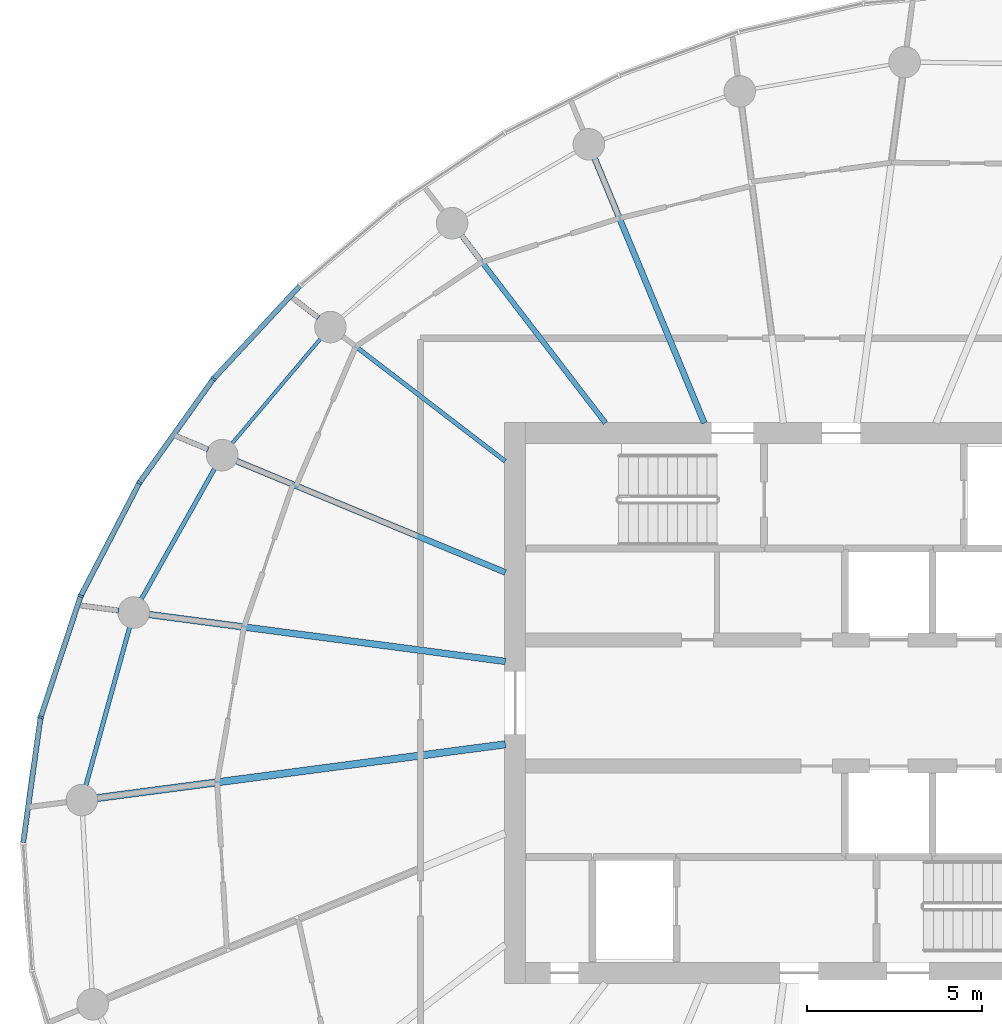
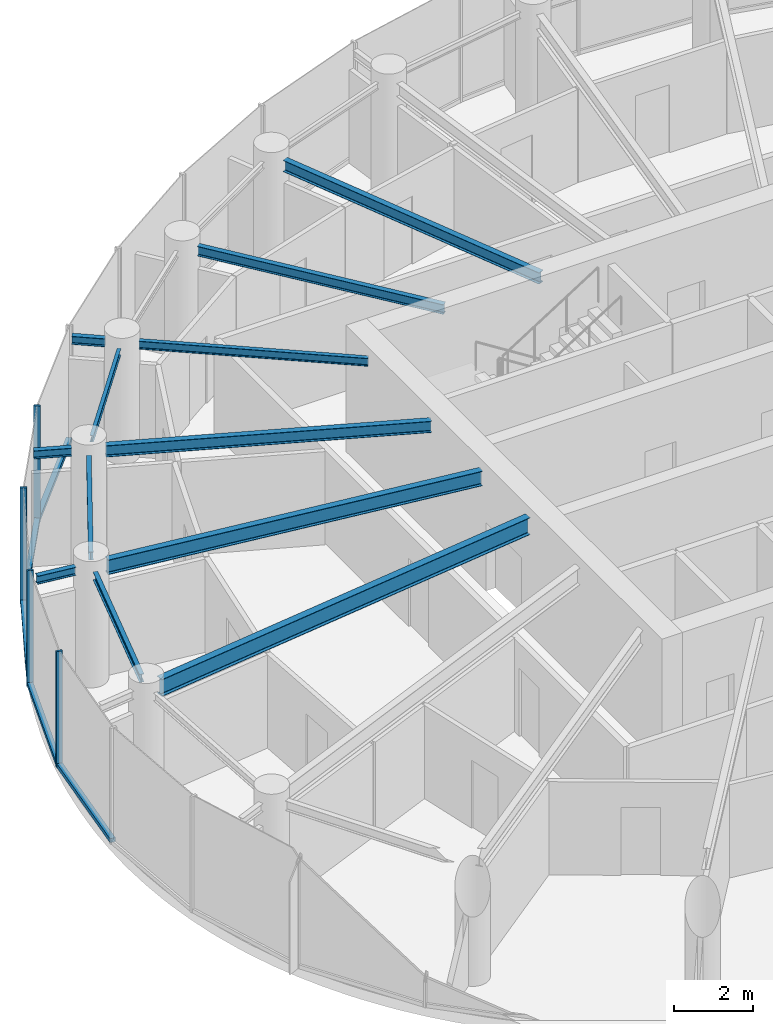
# One storey, part 4 of 15: 12 beams, 9 members, 2 elements without a shape of their own.
"""IFC4 building model written with IfcOpenShell, lengths in metres."""

from ifc_helpers import new_model, si_unit, direction, frame, origin, origin_2d, place, context, subcontext, project, spatial, rectangle, i_section, extrude, source, transform, mapped, material, layer, layer_set, material_profile, profile_set, type_object, element, aggregate, save


model = new_model("IFC4")

# Units and contexts
model_context = context("Model", 3, precision=1e-05, world=origin(), true_north=direction((0.0, 1.0)))
body_context = subcontext(model_context, "Body", "Model", "MODEL_VIEW")
ifc_project = project(units=[si_unit("LENGTHUNIT", "METRE"), si_unit("AREAUNIT", "SQUARE_METRE"), si_unit("VOLUMEUNIT", "CUBIC_METRE"), si_unit("PLANEANGLEUNIT", "RADIAN"), si_unit("MASSUNIT", "GRAM", prefix="KILO")], contexts=[model_context])

# Site, building, storey
site_placement = place(None, origin())
site = spatial("IfcSite", under=ifc_project, at=site_placement, CompositionType="ELEMENT")
building_placement = place(site_placement, origin())
building = spatial("IfcBuilding", under=site, at=building_placement, Name="Spindrift Exchange Tower", CompositionType="ELEMENT")
storey_placement = place(building_placement, frame((0.0, 0.0, 199.39990234375)))
storey = spatial("IfcBuildingStorey", under=building, at=storey_placement, Name="L48", CompositionType="ELEMENT", Elevation=199.39990234375)

# Beams
ifc_material_1 = material(Name="Steel Grade 300", Category="steel")
ifc_material_profile_1 = material_profile(ifc_material_1, i_section(OverallWidth=0.208984375, OverallDepth=0.528076171875, WebThickness=0.009521484375, FlangeThickness=0.01318359375, FilletRadius=0.013916015625, at=origin_2d()), Name="530UB82.0")
ifc_profile_set_1 = profile_set([ifc_material_profile_1], Name="Steel Grade 300")
beam_type_1 = type_object("IfcBeamType", Name="Floor Beam 530UB82.0 Steel Grade 300", PredefinedType="BEAM", material=ifc_profile_set_1)
shared_shape_1 = source(origin(), body_context, "Body", "SweptSolid", [
    extrude(i_section(OverallWidth=0.208984375, OverallDepth=0.528076171875, WebThickness=0.009521484375, FlangeThickness=0.01318359375, FilletRadius=0.013916015625, at=origin_2d()), origin(), (0.0, 0.0, 1.0), 11.75634765625),
])
beam_1_placement = place(storey_placement, frame((43.019775390625, 46.817626953125, 3.316162109375), z_axis=(-0.991445811455, -0.13051897543, 0.0), x_axis=(0.13051897543, -0.991445811455, 0.0)))
element("IfcBeam", 1, at=beam_1_placement, inside=storey, type_object=beam_type_1, Name="L48 radial beam R13A", PredefinedType="BEAM", context=body_context, shape_type="MappedRepresentation", body=[
    mapped(shared_shape_1, transform((0.0, 0.0, 0.0), scale=1.0)),
])
ifc_material_profile_2 = material_profile(ifc_material_1, i_section(OverallWidth=0.1708984375, OverallDepth=0.35205078125, WebThickness=0.0068359375, FlangeThickness=0.009765625, FilletRadius=0.013916015625, at=origin_2d()), Name="360UB44.7")
ifc_profile_set_2 = profile_set([ifc_material_profile_2], Name="Steel Grade 300")
beam_type_2 = type_object("IfcBeamType", Name="Floor Beam 360UB44.7 Steel Grade 300", PredefinedType="BEAM", material=ifc_profile_set_2)
shared_shape_2 = source(origin(), body_context, "Body", "SweptSolid", [
    extrude(i_section(OverallWidth=0.1708984375, OverallDepth=0.35205078125, WebThickness=0.0068359375, FlangeThickness=0.009765625, FilletRadius=0.013916015625, at=origin_2d()), origin(), (0.0, 0.0, 1.0), 8.1748046875),
])
beam_2_placement = place(storey_placement, frame((48.69384765625, 55.9814453125, 3.404052734375), z_axis=(-0.382655117626, 0.923891260352, 0.0), x_axis=(-0.923891260352, -0.382655117626, 0.0)))
element("IfcBeam", 2, at=beam_2_placement, inside=storey, type_object=beam_type_2, Name="L48 radial beam R08A", PredefinedType="BEAM", context=body_context, shape_type="MappedRepresentation", body=[
    mapped(shared_shape_2, transform((0.0, 0.0, 0.0), scale=1.0)),
])
ifc_material_profile_3 = material_profile(ifc_material_1, i_section(OverallWidth=0.14892578125, OverallDepth=0.298095703125, WebThickness=0.005615234375, FlangeThickness=0.008056640625, FilletRadius=0.012939453125, at=origin_2d()), Name="310UB32.0")
ifc_profile_set_3 = profile_set([ifc_material_profile_3], Name="Steel Grade 300")
beam_type_3 = type_object("IfcBeamType", Name="Floor Beam 310UB32.0 Steel Grade 300", PredefinedType="BEAM", material=ifc_profile_set_3)
shared_shape_3 = source(origin(), body_context, "Body", "SweptSolid", [
    extrude(i_section(OverallWidth=0.14892578125, OverallDepth=0.298095703125, WebThickness=0.005615234375, FlangeThickness=0.008056640625, FilletRadius=0.012939453125, at=origin_2d()), origin(), (0.0, 0.0, 1.0), 6.753173828125),
])
beam_3_placement = place(storey_placement, frame((45.87353515625, 55.984130859375, 3.43115234375), z_axis=(-0.608761639459, 0.793353178807, 0.0), x_axis=(-0.793353178807, -0.608761639459, 0.0)))
element("IfcBeam", 3, at=beam_3_placement, inside=storey, type_object=beam_type_3, Name="L48 radial beam R09A", PredefinedType="BEAM", context=body_context, shape_type="MappedRepresentation", body=[
    mapped(shared_shape_3, transform((0.0, 0.0, 0.0), scale=1.0)),
])
ifc_material_profile_4 = material_profile(ifc_material_1, i_section(OverallWidth=0.1240234375, OverallDepth=0.248046875, WebThickness=0.0048828125, FlangeThickness=0.008056640625, FilletRadius=0.011962890625, at=origin_2d()), Name="250UB25.7")
ifc_profile_set_4 = profile_set([ifc_material_profile_4], Name="Steel Grade 300")
beam_type_4 = type_object("IfcBeamType", Name="Floor Beam 250UB25.7 Steel Grade 300", PredefinedType="BEAM", material=ifc_profile_set_4)
shared_shape_4 = source(origin(), body_context, "Body", "SweptSolid", [
    extrude(i_section(OverallWidth=0.1240234375, OverallDepth=0.248046875, WebThickness=0.0048828125, FlangeThickness=0.008056640625, FilletRadius=0.011962890625, at=origin_2d()), origin(), (0.0, 0.0, 1.0), 5.855712890625),
])
beam_4_placement = place(storey_placement, frame((43.015869140625, 54.893798828125, 3.4560546875), z_axis=(-0.793362708479, 0.608749219954, 0.0), x_axis=(-0.608749219954, -0.793362708479, 0.0)))
element("IfcBeam", 4, at=beam_4_placement, inside=storey, type_object=beam_type_4, Name="L48 radial beam R10A", PredefinedType="BEAM", context=body_context, shape_type="MappedRepresentation", body=[
    mapped(shared_shape_4, transform((0.0, 0.0, 0.0), scale=1.0)),
])
shared_shape_5 = source(origin(), body_context, "Body", "SweptSolid", [
    extrude(i_section(OverallWidth=0.1708984375, OverallDepth=0.35205078125, WebThickness=0.0068359375, FlangeThickness=0.009765625, FilletRadius=0.013916015625, at=origin_2d()), origin(), (0.0, 0.0, 1.0), 8.3134765625),
])
beam_5_placement = place(storey_placement, frame((43.0185546875, 51.72021484375, 3.404052734375), z_axis=(-0.923881179957, 0.382679455055, 0.0), x_axis=(-0.382679455055, -0.923881179957, 0.0)))
element("IfcBeam", 5, at=beam_5_placement, inside=storey, type_object=beam_type_2, Name="L48 radial beam R11A", PredefinedType="BEAM", context=body_context, shape_type="MappedRepresentation", body=[
    mapped(shared_shape_5, transform((0.0, 0.0, 0.0), scale=1.0)),
])
ifc_material_profile_5 = material_profile(ifc_material_1, i_section(OverallWidth=0.18994140625, OverallDepth=0.4541015625, WebThickness=0.008544921875, FlangeThickness=0.0126953125, FilletRadius=0.013916015625, at=origin_2d()), Name="460UB67.1")
ifc_profile_set_5 = profile_set([ifc_material_profile_5], Name="Steel Grade 300")
beam_type_5 = type_object("IfcBeamType", Name="Floor Beam 460UB67.1 Steel Grade 300", PredefinedType="BEAM", material=ifc_profile_set_5)
shared_shape_6 = source(origin(), body_context, "Body", "SweptSolid", [
    extrude(i_section(OverallWidth=0.18994140625, OverallDepth=0.4541015625, WebThickness=0.008544921875, FlangeThickness=0.0126953125, FilletRadius=0.013916015625, at=origin_2d()), origin(), (0.0, 0.0, 1.0), 10.262451171875),
])
beam_6_placement = place(storey_placement, frame((43.019775390625, 49.182373046875, 3.35302734375), z_axis=(-0.991446763371, 0.130511744304, 0.0), x_axis=(-0.130511744304, -0.991446763371, 0.0)))
element("IfcBeam", 6, at=beam_6_placement, inside=storey, type_object=beam_type_5, Name="L48 radial beam R12A", PredefinedType="BEAM", context=body_context, shape_type="MappedRepresentation", body=[
    mapped(shared_shape_6, transform((0.0, 0.0, 0.0), scale=1.0)),
])
ifc_material_profile_6 = material_profile(ifc_material_1, i_section(OverallWidth=0.09912109375, OverallDepth=0.197998046875, WebThickness=0.00439453125, FlangeThickness=0.007080078125, FilletRadius=0.010986328125, at=origin_2d()), Name="200UB18.2")
ifc_profile_set_6 = profile_set([ifc_material_profile_6], Name="Steel Grade 300")
beam_type_6 = type_object("IfcBeamType", Name="Edge Beam 200UB18.2 Steel Grade 300", PredefinedType="SPANDREL", material=ifc_profile_set_6)
shared_shape_7 = source(origin(), body_context, "Body", "SweptSolid", [
    extrude(i_section(OverallWidth=0.09912109375, OverallDepth=0.197998046875, WebThickness=0.00439453125, FlangeThickness=0.007080078125, FilletRadius=0.010986328125, at=origin_2d()), origin(), (0.0, 0.0, 1.0), 3.92431640625),
])
beam_7_placement = place(storey_placement, frame((37.75146484375, 58.391845703125, 3.481201171875), z_axis=(-0.645498720032, -0.763761351757, 0.0), x_axis=(0.763761351757, -0.645498720032, 0.0)))
element("IfcBeam", 7, at=beam_7_placement, inside=storey, type_object=beam_type_6, Name="L48 edge beam E10", PredefinedType="SPANDREL", context=body_context, shape_type="MappedRepresentation", body=[
    mapped(shared_shape_7, transform((0.0, 0.0, 0.0), scale=1.0)),
])
ifc_material_profile_7 = material_profile(ifc_material_1, i_section(OverallWidth=0.1240234375, OverallDepth=0.248046875, WebThickness=0.0048828125, FlangeThickness=0.008056640625, FilletRadius=0.011962890625, at=origin_2d()), Name="250UB25.7")
ifc_profile_set_7 = profile_set([ifc_material_profile_7], Name="Steel Grade 300")
beam_type_7 = type_object("IfcBeamType", Name="Edge Beam 250UB25.7 Steel Grade 300", PredefinedType="SPANDREL", material=ifc_profile_set_7)
shared_shape_8 = source(origin(), body_context, "Body", "SweptSolid", [
    extrude(i_section(OverallWidth=0.1240234375, OverallDepth=0.248046875, WebThickness=0.0048828125, FlangeThickness=0.008056640625, FilletRadius=0.011962890625, at=origin_2d()), origin(), (0.0, 0.0, 1.0), 4.2880859375),
])
beam_8_placement = place(storey_placement, frame((34.72998046875, 54.69140625, 3.4560546875), z_axis=(-0.489804347673, -0.871832381253, 0.0), x_axis=(0.871832381253, -0.489804347673, 0.0)))
element("IfcBeam", 8, at=beam_8_placement, inside=storey, type_object=beam_type_7, Name="L48 edge beam E11", PredefinedType="SPANDREL", context=body_context, shape_type="MappedRepresentation", body=[
    mapped(shared_shape_8, transform((0.0, 0.0, 0.0), scale=1.0)),
])
shared_shape_9 = source(origin(), body_context, "Body", "SweptSolid", [
    extrude(i_section(OverallWidth=0.1240234375, OverallDepth=0.248046875, WebThickness=0.0048828125, FlangeThickness=0.008056640625, FilletRadius=0.011962890625, at=origin_2d()), origin(), (0.0, 0.0, 1.0), 4.69189453125),
])
beam_9_placement = place(storey_placement, frame((32.30419921875, 50.16357421875, 3.4560546875), z_axis=(-0.266774248618, -0.963759046792, 0.0), x_axis=(0.963759046792, -0.266774248618, 0.0)))
element("IfcBeam", 9, at=beam_9_placement, inside=storey, type_object=beam_type_7, Name="L48 edge beam E12", PredefinedType="SPANDREL", context=body_context, shape_type="MappedRepresentation", body=[
    mapped(shared_shape_9, transform((0.0, 0.0, 0.0), scale=1.0)),
])
ifc_material_profile_8 = material_profile(ifc_material_1, i_section(OverallWidth=0.14599609375, OverallDepth=0.251953125, WebThickness=0.006103515625, FlangeThickness=0.008544921875, FilletRadius=0.011962890625, at=origin_2d()), Name="250UB31.4")
ifc_profile_set_8 = profile_set([ifc_material_profile_8], Name="Steel Grade 300")
beam_type_8 = type_object("IfcBeamType", Name="Cantilever Beam 250UB31.4 Steel Grade 300", PredefinedType="BEAM", material=ifc_profile_set_8)
shared_shape_10 = source(origin(), body_context, "Body", "SweptSolid", [
    extrude(i_section(OverallWidth=0.14599609375, OverallDepth=0.251953125, WebThickness=0.006103515625, FlangeThickness=0.008544921875, FilletRadius=0.011962890625, at=origin_2d()), origin(), (0.0, 0.0, 1.0), 0.850341796875),
])
beam_10_placement = place(storey_placement, frame((37.68798828125, 58.982177734375, 3.4541015625), z_axis=(-0.793476968481, 0.608600279732, 0.0), x_axis=(-0.608600279732, -0.793476968481, 0.0)))
element("IfcBeam", 10, at=beam_10_placement, inside=storey, type_object=beam_type_8, Name="L48 cantilever beam R10T", PredefinedType="BEAM", context=body_context, shape_type="MappedRepresentation", body=[
    mapped(shared_shape_10, transform((0.0, 0.0, 0.0), scale=1.0)),
])
shared_shape_11 = source(origin(), body_context, "Body", "SweptSolid", [
    extrude(i_section(OverallWidth=0.14599609375, OverallDepth=0.251953125, WebThickness=0.006103515625, FlangeThickness=0.008544921875, FilletRadius=0.011962890625, at=origin_2d()), origin(), (0.0, 0.0, 1.0), 0.97412109375),
])
beam_11_placement = place(storey_placement, frame((34.543212890625, 55.230712890625, 3.4541015625), z_axis=(-0.923861027853, 0.382728103508, 0.0), x_axis=(-0.382728103508, -0.923861027853, 0.0)))
element("IfcBeam", 11, at=beam_11_placement, inside=storey, type_object=beam_type_8, Name="L48 cantilever beam R11T", PredefinedType="BEAM", context=body_context, shape_type="MappedRepresentation", body=[
    mapped(shared_shape_11, transform((0.0, 0.0, 0.0), scale=1.0)),
])
shared_shape_12 = source(origin(), body_context, "Body", "SweptSolid", [
    extrude(i_section(OverallWidth=0.14599609375, OverallDepth=0.251953125, WebThickness=0.006103515625, FlangeThickness=0.008544921875, FilletRadius=0.011962890625, at=origin_2d()), origin(), (0.0, 0.0, 1.0), 1.058837890625),
])
beam_12_placement = place(storey_placement, frame((31.99267578125, 50.634033203125, 3.4541015625), z_axis=(-0.991448016129, 0.130502227239, 0.0), x_axis=(-0.130502227239, -0.991448016129, 0.0)))
element("IfcBeam", 12, at=beam_12_placement, inside=storey, type_object=beam_type_8, Name="L48 cantilever beam R12T", PredefinedType="BEAM", context=body_context, shape_type="MappedRepresentation", body=[
    mapped(shared_shape_12, transform((0.0, 0.0, 0.0), scale=1.0)),
])

# Curtain wall, member
ifc_material_2 = material(Name="Fritted laminated glass with bronze frame", Category="glass")
ifc_layer = layer(ifc_material_2, 0.169921875)
ifc_layer_set = layer_set([ifc_layer], Name="ZONE 4 BRONZE FRITTED WALL")
curtain_wall_type = type_object("IfcCurtainWallType", Name="ZONE 4 BRONZE FRITTED WALL", PredefinedType="NOTDEFINED", material=ifc_layer_set)
curtain_wall_1_placement = place(storey_placement, origin())
curtain_wall_1 = element("IfcCurtainWall", 13, at=curtain_wall_1_placement, inside=storey, type_object=curtain_wall_type, Name="L48 Zone 4 Bronze Fritted Wall run 2", PredefinedType="NOTDEFINED")
ifc_material_3 = material(Name="Bronze anodised aluminium", Category="aluminium")
ifc_material_profile_9 = material_profile(ifc_material_3, rectangle(XDim=0.14990234375, YDim=0.125, at=origin_2d()), Name="ZONE 4 BRONZE FRITTED WALL TRANSOM 150X125")
ifc_profile_set_9 = profile_set([ifc_material_profile_9], Name="Bronze anodised aluminium")
member_type_1 = type_object("IfcMemberType", Name="ZONE 4 BRONZE FRITTED WALL TRANSOM 150X125", PredefinedType="USERDEFINED", material=ifc_profile_set_9)
shared_shape_13 = source(origin(), body_context, "Body", "SweptSolid", [
    extrude(rectangle(XDim=0.14990234375, YDim=0.125, at=origin_2d()), origin(), (0.0, 0.0, 1.0), 3.57763671875),
])
member_1_placement = place(storey_placement, frame((37.15087890625, 59.890380859375, 0.0625), z_axis=(-0.680629065037, -0.732628197537, 0.0), x_axis=(0.732628197537, -0.680629065037, 0.0)))
member_1 = element("IfcMember", 14, at=member_1_placement, type_object=member_type_1, Name="L48 transom CW-4.12", ObjectType="TRANSOM", PredefinedType="USERDEFINED", context=body_context, shape_type="MappedRepresentation", body=[
    mapped(shared_shape_13, transform((0.0, 0.0, 0.0), scale=1.0)),
])
aggregate(curtain_wall_1, [member_1])

# Curtain wall, members
curtain_wall_2_placement = place(storey_placement, origin())
curtain_wall_2 = element("IfcCurtainWall", 15, at=curtain_wall_2_placement, inside=storey, type_object=curtain_wall_type, Name="L48 Zone 4 Bronze Fritted Wall run 3", PredefinedType="NOTDEFINED")
shared_shape_14 = source(origin(), body_context, "Body", "SweptSolid", [
    extrude(rectangle(XDim=0.14990234375, YDim=0.125, at=origin_2d()), origin(), (0.0, 0.0, 1.0), 3.5771484375),
])
member_2_placement = place(storey_placement, frame((34.6748046875, 57.21923828125, 0.0625), z_axis=(-0.580540716116, -0.814231218347, 0.0), x_axis=(0.814231218347, -0.580540716116, 0.0)))
member_2 = element("IfcMember", 16, at=member_2_placement, type_object=member_type_1, Name="L48 transom CW-4.13", ObjectType="TRANSOM", PredefinedType="USERDEFINED", context=body_context, shape_type="MappedRepresentation", body=[
    mapped(shared_shape_14, transform((0.0, 0.0, 0.0), scale=1.0)),
])
shared_shape_15 = source(origin(), body_context, "Body", "SweptSolid", [
    extrude(rectangle(XDim=0.14990234375, YDim=0.125, at=origin_2d()), origin(), (0.0, 0.0, 1.0), 3.575439453125),
])
member_3_placement = place(storey_placement, frame((30.894287109375, 51.015625, 0.0625), z_axis=(-0.313891569399, -0.949458836738, 0.0), x_axis=(0.949458836738, -0.313891569399, 0.0)))
member_3 = element("IfcMember", 17, at=member_3_placement, type_object=member_type_1, Name="L48 transom CW-4.15", ObjectType="TRANSOM", PredefinedType="USERDEFINED", context=body_context, shape_type="MappedRepresentation", body=[
    mapped(shared_shape_15, transform((0.0, 0.0, 0.0), scale=1.0)),
])
shared_shape_16 = source(origin(), body_context, "Body", "SweptSolid", [
    extrude(rectangle(XDim=0.14990234375, YDim=0.125, at=origin_2d()), origin(), (0.0, 0.0, 1.0), 3.57666015625),
])
member_4_placement = place(storey_placement, frame((32.564453125, 54.251220703125, 0.0625), z_axis=(-0.459946519317, -0.887946619661, 0.0), x_axis=(0.887946619661, -0.459946519317, 0.0)))
member_4 = element("IfcMember", 18, at=member_4_placement, type_object=member_type_1, Name="L48 transom CW-4.14", ObjectType="TRANSOM", PredefinedType="USERDEFINED", context=body_context, shape_type="MappedRepresentation", body=[
    mapped(shared_shape_16, transform((0.0, 0.0, 0.0), scale=1.0)),
])
ifc_material_profile_10 = material_profile(ifc_material_3, rectangle(XDim=0.06494140625, YDim=0.169921875, at=origin_2d()), Name="ZONE 4 BRONZE FRITTED WALL MULLION 65X170")
ifc_profile_set_10 = profile_set([ifc_material_profile_10], Name="Bronze anodised aluminium")
member_type_2 = type_object("IfcMemberType", Name="ZONE 4 BRONZE FRITTED WALL MULLION 65X170", PredefinedType="MULLION", material=ifc_profile_set_10)
shared_shape_17 = source(origin(), body_context, "Body", "SweptSolid", [
    extrude(rectangle(XDim=0.06494140625, YDim=0.169921875, at=origin_2d()), origin(), (0.0, 0.0, 1.0), 3.580078125),
])
member_5_placement = place(storey_placement, frame((34.693603515625, 57.24560546875, 0.0), z_axis=(0.0, 0.0, 1.0), x_axis=(-0.631928707479, -0.775026521265, 0.0)))
member_5 = element("IfcMember", 19, at=member_5_placement, type_object=member_type_2, Name="L48 mullion CW-4.13", PredefinedType="MULLION", context=body_context, shape_type="MappedRepresentation", body=[
    mapped(shared_shape_17, transform((0.0, 0.0, 0.0), scale=1.0)),
])
member_6_placement = place(storey_placement, frame((32.579345703125, 54.280029296875, 0.0), z_axis=(0.0, 0.0, 1.0), x_axis=(-0.521547813182, -0.853222057008, 0.0)))
member_6 = element("IfcMember", 20, at=member_6_placement, type_object=member_type_2, Name="L48 mullion CW-4.14", PredefinedType="MULLION", context=body_context, shape_type="MappedRepresentation", body=[
    mapped(shared_shape_17, transform((0.0, 0.0, 0.0), scale=1.0)),
])
member_7_placement = place(storey_placement, frame((30.904296875, 51.046630859375, 0.0), z_axis=(0.0, 0.0, 1.0), x_axis=(-0.388131130947, -0.921604158622, 0.0)))
member_7 = element("IfcMember", 21, at=member_7_placement, type_object=member_type_2, Name="L48 mullion CW-4.15", PredefinedType="MULLION", context=body_context, shape_type="MappedRepresentation", body=[
    mapped(shared_shape_17, transform((0.0, 0.0, 0.0), scale=1.0)),
])
member_8_placement = place(storey_placement, frame((29.76171875, 47.590087890625, 0.0), z_axis=(0.0, 0.0, 1.0), x_axis=(-0.226716579157, -0.973960775768, 0.0)))
member_8 = element("IfcMember", 22, at=member_8_placement, type_object=member_type_2, Name="L48 mullion CW-4.16", PredefinedType="MULLION", context=body_context, shape_type="MappedRepresentation", body=[
    mapped(shared_shape_17, transform((0.0, 0.0, 0.0), scale=1.0)),
])
shared_shape_18 = source(origin(), body_context, "Body", "SweptSolid", [
    extrude(rectangle(XDim=0.14990234375, YDim=0.125, at=origin_2d()), origin(), (0.0, 0.0, 1.0), 3.57421875),
])
member_9_placement = place(storey_placement, frame((29.75732421875, 47.557861328125, 0.0625), z_axis=(-0.13770053099, -0.990473908675, 0.0), x_axis=(0.990473908675, -0.13770053099, 0.0)))
member_9 = element("IfcMember", 23, at=member_9_placement, type_object=member_type_1, Name="L48 transom CW-4.16", ObjectType="TRANSOM", PredefinedType="USERDEFINED", context=body_context, shape_type="MappedRepresentation", body=[
    mapped(shared_shape_18, transform((0.0, 0.0, 0.0), scale=1.0)),
])
aggregate(curtain_wall_2, [member_5, member_2, member_6, member_4, member_7, member_3, member_8, member_9])

save(model, "model.ifc")
